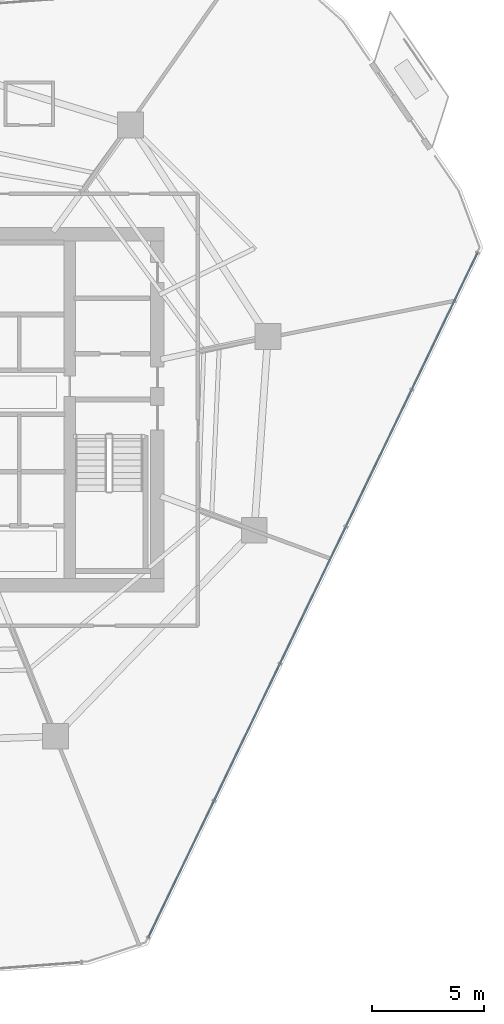
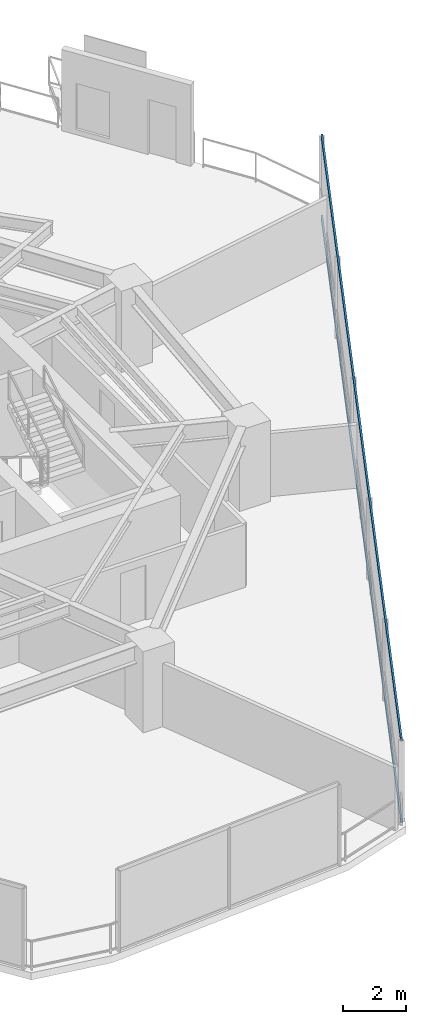
# One storey, part 12 of 30: 2 members, 1 element without a shape of its own.
"""IFC4 building model written with IfcOpenShell, lengths in metres."""

from ifc_helpers import new_model, si_unit, direction, frame, origin, origin_2d, place, context, subcontext, project, spatial, hollow_rectangle, extrude, material, layer, layer_set, material_profile, profile_set, type_object, element, aggregate, save


model = new_model("IFC4")

# Units and contexts
model_context = context("Model", 3, precision=1e-05, world=origin(), true_north=direction((0.0, 1.0)))
body_context = subcontext(model_context, "Body", "Model", "MODEL_VIEW")
ifc_project = project(units=[si_unit("LENGTHUNIT", "METRE"), si_unit("AREAUNIT", "SQUARE_METRE"), si_unit("VOLUMEUNIT", "CUBIC_METRE"), si_unit("PLANEANGLEUNIT", "RADIAN"), si_unit("MASSUNIT", "GRAM", prefix="KILO")], contexts=[model_context])

# Site, building, storey
site_placement = place(None, origin())
site = spatial("IfcSite", under=ifc_project, at=site_placement, CompositionType="ELEMENT")
building_placement = place(site_placement, origin())
building = spatial("IfcBuilding", under=site, at=building_placement, Name="Qarnah Convention Tower", CompositionType="ELEMENT")
storey_placement = place(building_placement, frame((0.0, 0.0, 83.25)))
storey = spatial("IfcBuildingStorey", under=building, at=storey_placement, Name="L21", CompositionType="ELEMENT", Elevation=83.25)

# Curtain wall, members
ifc_material_1 = material(Name="Tempered Low-E dark glass", Category="glass")
ifc_layer = layer(ifc_material_1, 0.169921875)
ifc_layer_set = layer_set([ifc_layer], Name="Tempered Low-E dark glass")
curtain_wall_type = type_object("IfcCurtainWallType", Name="CWS-02", PredefinedType="NOTDEFINED", material=ifc_layer_set)
curtain_wall_placement = place(storey_placement, origin())
curtain_wall = element("IfcCurtainWall", 1, at=curtain_wall_placement, inside=storey, type_object=curtain_wall_type, Name="L21 unitised curtain wall CW-L21-F1", PredefinedType="NOTDEFINED")
ifc_material_2 = material(Name="Black anodised aluminium", Category="aluminium")
ifc_material_profile = material_profile(ifc_material_2, hollow_rectangle(XDim=0.06494140625, YDim=0.14990234375, WallThickness=0.00390625, at=origin_2d()), Name="TRN-65X150")
ifc_profile_set = profile_set([ifc_material_profile], Name="Black anodised aluminium")
member_type = type_object("IfcMemberType", Name="TRN-T2", PredefinedType="USERDEFINED", material=ifc_profile_set)
member_1_placement = place(storey_placement, frame((61.8330078125, 33.388916015625, 0.0), z_axis=(-0.433335632096, -0.901232617006, 0.0), x_axis=(0.901232617006, -0.433335632096, 0.0)))
member_1 = element("IfcMember", 2, at=member_1_placement, type_object=member_type, Name="CW-L21-F1 transom 1", ObjectType="TRANSOM", PredefinedType="USERDEFINED", context=body_context, shape_type="SweptSolid", body=[
    extrude(hollow_rectangle(XDim=0.06494140625, YDim=0.14990234375, WallThickness=0.00390625, at=origin_2d()), origin(), (0.0, 0.0, 1.0), 33.787109375),
])
member_2_placement = place(storey_placement, frame((61.8330078125, 33.388916015625, 3.169921875), z_axis=(-0.433335632096, -0.901232617006, 0.0), x_axis=(0.901232617006, -0.433335632096, 0.0)))
member_2 = element("IfcMember", 3, at=member_2_placement, type_object=member_type, Name="CW-L21-F1 transom 2", ObjectType="TRANSOM", PredefinedType="USERDEFINED", context=body_context, shape_type="SweptSolid", body=[
    extrude(hollow_rectangle(XDim=0.06494140625, YDim=0.14990234375, WallThickness=0.00390625, at=origin_2d()), origin(), (0.0, 0.0, 1.0), 33.787109375),
])
aggregate(curtain_wall, [member_1, member_2])

save(model, "model.ifc")
